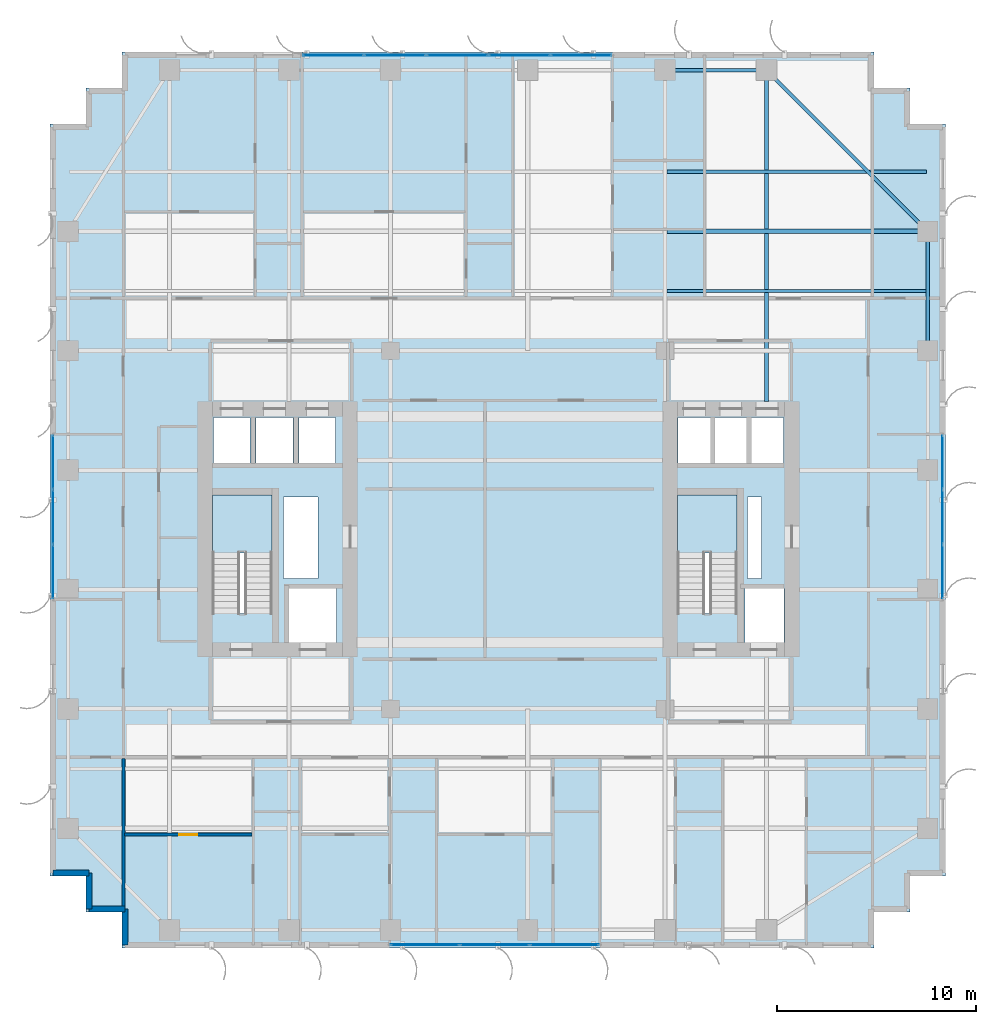
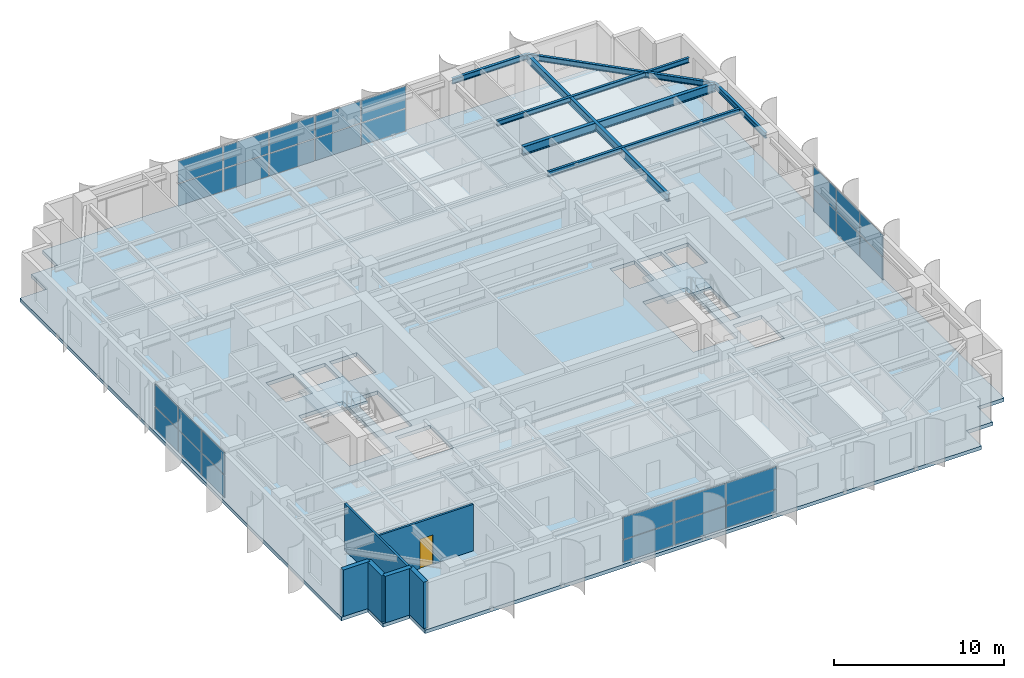
# One storey, part 12 of 22: 28 plates, 7 beams, 6 walls, 3 slabs, 1 door, 1 opening, 6 elements without a shape of their own.
"""IFC4 building model written with IfcOpenShell, lengths in metres."""

from ifc_helpers import new_model, si_unit, direction, frame, frame_2d, origin, origin_2d, place, context, subcontext, project, spatial, polyline, rectangle, i_section, outline, extrude, source, transform, mapped, material, layer, layer_set, material_profile, profile_set, type_object, element, fill, aggregate, save


model = new_model("IFC4")

# Units and contexts
model_context = context("Model", 3, precision=1e-05, world=origin(), true_north=direction((0.0, 1.0)))
body_context = subcontext(model_context, "Body", "Model", "MODEL_VIEW")
ifc_project = project(units=[si_unit("LENGTHUNIT", "METRE"), si_unit("AREAUNIT", "SQUARE_METRE"), si_unit("VOLUMEUNIT", "CUBIC_METRE"), si_unit("PLANEANGLEUNIT", "RADIAN"), si_unit("MASSUNIT", "GRAM", prefix="KILO")], contexts=[model_context])

# Site, building, storey
site_placement = place(None, origin())
site = spatial("IfcSite", under=ifc_project, at=site_placement, CompositionType="ELEMENT")
building_placement = place(site_placement, origin())
building = spatial("IfcBuilding", under=site, at=building_placement, Name="Khoralis Quay Care Tower", CompositionType="ELEMENT")
storey_placement = place(building_placement, frame((0.0, 0.0, 101.699951171875)))
storey = spatial("IfcBuildingStorey", under=building, at=storey_placement, Name="L26", CompositionType="ELEMENT", Elevation=101.699951171875)

# Beams
ifc_material_1 = material(Name="Steel S355", Category="steel")
ifc_material_profile_1 = material_profile(ifc_material_1, i_section(OverallWidth=0.179931640625, OverallDepth=0.39990234375, WebThickness=0.008544921875, FlangeThickness=0.013427734375, FilletRadius=0.02099609375, at=origin_2d()), Name="Steel S355")
ifc_profile_set_1 = profile_set([ifc_material_profile_1], Name="Steel S355")
beam_type_1 = type_object("IfcBeamType", Name="BM-IPE400", PredefinedType="SPANDREL", material=ifc_profile_set_1)
shared_shape_1 = source(origin(), body_context, "Body", "SweptSolid", [
    extrude(i_section(OverallWidth=0.179931640625, OverallDepth=0.39990234375, WebThickness=0.008544921875, FlangeThickness=0.013427734375, FilletRadius=0.02099609375, at=origin_2d()), origin(), (0.0, 0.0, 1.0), 6.0),
])
beam_1_placement = place(storey_placement, frame((44.10009765625, 30.0, 3.14013671875), z_axis=(0.0, 1.0, 0.0), x_axis=(-1.0, 0.0, 0.0)))
element("IfcBeam", 1, at=beam_1_placement, inside=storey, type_object=beam_type_1, Name="BM-TSP-L26-20", PredefinedType="SPANDREL", context=body_context, shape_type="MappedRepresentation", body=[
    mapped(shared_shape_1, transform((0.0, 0.0, 0.0), scale=1.0)),
])
shared_shape_2 = source(origin(), body_context, "Body", "SweptSolid", [
    extrude(i_section(OverallWidth=0.179931640625, OverallDepth=0.39990234375, WebThickness=0.008544921875, FlangeThickness=0.013427734375, FilletRadius=0.02099609375, at=origin_2d()), origin(), (0.0, 0.0, 1.0), 5.10009765625),
])
beam_2_placement = place(storey_placement, frame((30.89990234375, 44.10009765625, 3.14013671875), z_axis=(1.0, 0.0, 0.0), x_axis=(0.0, 1.0, 0.0)))
element("IfcBeam", 2, at=beam_2_placement, inside=storey, type_object=beam_type_1, Name="BM-TSP-L26-10", PredefinedType="SPANDREL", context=body_context, shape_type="MappedRepresentation", body=[
    mapped(shared_shape_2, transform((0.0, 0.0, 0.0), scale=1.0)),
])
shared_shape_3 = source(origin(), body_context, "Body", "SweptSolid", [
    extrude(i_section(OverallWidth=0.179931640625, OverallDepth=0.39990234375, WebThickness=0.008544921875, FlangeThickness=0.013427734375, FilletRadius=0.02099609375, at=origin_2d()), origin(), (0.0, 0.0, 1.0), 11.455322265625),
])
beam_3_placement = place(storey_placement, frame((36.0, 44.10009765625, 3.14013671875), z_axis=(0.707106781187, -0.707106781187, 0.0), x_axis=(0.707106781187, 0.707106781187, 0.0)))
element("IfcBeam", 3, at=beam_3_placement, inside=storey, type_object=beam_type_1, Name="BM-TCR-L26-24", PredefinedType="SPANDREL", context=body_context, shape_type="MappedRepresentation", body=[
    mapped(shared_shape_3, transform((0.0, 0.0, 0.0), scale=1.0)),
])
ifc_material_profile_2 = material_profile(ifc_material_1, i_section(OverallWidth=0.22998046875, OverallDepth=0.616943359375, WebThickness=0.01318359375, FlangeThickness=0.022216796875, FilletRadius=0.01806640625, at=origin_2d()), Name="Steel S355")
ifc_profile_set_2 = profile_set([ifc_material_profile_2], Name="Steel S355")
beam_type_2 = type_object("IfcBeamType", Name="BM-W610X140", PredefinedType="BEAM", material=ifc_profile_set_2)
shared_shape_4 = source(origin(), body_context, "Body", "SweptSolid", [
    extrude(i_section(OverallWidth=0.22998046875, OverallDepth=0.616943359375, WebThickness=0.01318359375, FlangeThickness=0.022216796875, FilletRadius=0.01806640625, at=origin_2d()), origin(), (0.0, 0.0, 1.0), 13.106201171875),
])
beam_4_placement = place(storey_placement, frame((30.993896484375, 36.0, 3.031494140625), z_axis=(1.0, 0.0, 0.0), x_axis=(0.0, 1.0, 0.0)))
element("IfcBeam", 4, at=beam_4_placement, inside=storey, type_object=beam_type_2, Name="BM-TGXE-L26-360", PredefinedType="BEAM", context=body_context, shape_type="MappedRepresentation", body=[
    mapped(shared_shape_4, transform((0.0, 0.0, 0.0), scale=1.0)),
])
ifc_material_profile_3 = material_profile(ifc_material_1, i_section(OverallWidth=0.2119140625, OverallDepth=0.5439453125, WebThickness=0.01318359375, FlangeThickness=0.021240234375, FilletRadius=0.01611328125, at=origin_2d()), Name="Steel S355")
ifc_profile_set_3 = profile_set([ifc_material_profile_3], Name="Steel S355")
beam_type_3 = type_object("IfcBeamType", Name="BM-W530X123", PredefinedType="BEAM", material=ifc_profile_set_3)
shared_shape_5 = source(origin(), body_context, "Body", "SweptSolid", [
    extrude(i_section(OverallWidth=0.2119140625, OverallDepth=0.5439453125, WebThickness=0.01318359375, FlangeThickness=0.021240234375, FilletRadius=0.01611328125, at=origin_2d()), origin(), (0.0, 0.0, 1.0), 16.652099609375),
])
beam_5_placement = place(storey_placement, frame((36.0, 27.447998046875, 3.068115234375), z_axis=(0.0, 1.0, 0.0), x_axis=(-1.0, 0.0, 0.0)))
element("IfcBeam", 5, at=beam_5_placement, inside=storey, type_object=beam_type_3, Name="BM-TGYN-L26-360", PredefinedType="BEAM", context=body_context, shape_type="MappedRepresentation", body=[
    mapped(shared_shape_5, transform((0.0, 0.0, 0.0), scale=1.0)),
])
ifc_material_profile_4 = material_profile(ifc_material_1, i_section(OverallWidth=0.1708984375, OverallDepth=0.35498046875, WebThickness=0.007080078125, FlangeThickness=0.01171875, FilletRadius=0.012939453125, at=origin_2d()), Name="Steel S355")
ifc_profile_set_4 = profile_set([ifc_material_profile_4], Name="Steel S355")
beam_type_4 = type_object("IfcBeamType", Name="BM-W360X51", PredefinedType="JOIST", material=ifc_profile_set_4)
shared_shape_6 = source(origin(), body_context, "Body", "SweptSolid", [
    extrude(i_section(OverallWidth=0.1708984375, OverallDepth=0.35498046875, WebThickness=0.007080078125, FlangeThickness=0.01171875, FilletRadius=0.012939453125, at=origin_2d()), origin(), (0.0, 0.0, 1.0), 13.030029296875),
])
for number, where, z_axis, x_axis, name in (
    (6, (30.993896484375, 33.0, 3.16259765625), (1.0, 0.0, 0.0), (0.0, 1.0, 0.0), "BM-TJS-L26-29"),
    (7, (30.993896484375, 39.0, 3.16259765625), (1.0, 0.0, 0.0), (0.0, 1.0, 0.0), "BM-TJS-L26-32"),
):
    element("IfcBeam", number, at=place(storey_placement, frame(where, z_axis=z_axis, x_axis=x_axis)), inside=storey, type_object=beam_type_4, Name=name, PredefinedType="JOIST", context=body_context, shape_type="MappedRepresentation", body=[
        mapped(shared_shape_6, transform((0.0, 0.0, 0.0), scale=1.0)),
    ])

# Stair, slab
ifc_material_2 = material(Name="Precast concrete C45/55", Category="concrete")
stair_type = type_object("IfcStairType", Name="ST-TWR-DOGLEG-1400", PredefinedType="HALF_TURN_STAIR", material=ifc_material_2)
stair_1_placement = place(storey_placement, origin())
stair_1 = element("IfcStair", 8, at=stair_1_placement, inside=storey, type_object=stair_type, Name="L26 West Core Exit Stair ST-T1", PredefinedType="HALF_TURN_STAIR")
ifc_layer_1 = layer(ifc_material_2, 0.199951171875)
ifc_layer_set_1 = layer_set([ifc_layer_1], Name="Precast concrete C45/55")
slab_type_1 = type_object("IfcSlabType", Name="SLB-LANDING-200", PredefinedType="LANDING", material=ifc_layer_set_1)
slab_1_placement = place(storey_placement, frame((0.0, 0.0, 1.60009765625)))
slab_1 = element("IfcSlab", 9, at=slab_1_placement, type_object=slab_type_1, Name="ST-T1 landing 1", PredefinedType="LANDING", context=body_context, shape_type="SweptSolid", body=[
    extrude(outline(polyline([(11.14990234375, 19.840087890625), (11.14990234375, 22.75), (8.14990234375, 22.75), (8.14990234375, 19.840087890625), (11.14990234375, 19.840087890625)])), origin(), (0.0, 0.0, 1.0), 0.199951171875),
])
aggregate(stair_1, [slab_1])

stair_2_placement = place(storey_placement, origin())
stair_2 = element("IfcStair", 10, at=stair_2_placement, inside=storey, type_object=stair_type, Name="L26 East Core Exit Stair ST-T2", PredefinedType="HALF_TURN_STAIR")
slab_2_placement = place(storey_placement, frame((0.0, 0.0, 1.60009765625)))
slab_2 = element("IfcSlab", 11, at=slab_2_placement, type_object=slab_type_1, Name="ST-T2 landing 1", PredefinedType="LANDING", context=body_context, shape_type="SweptSolid", body=[
    extrude(outline(polyline([(34.52001953125, 19.840087890625), (34.52001953125, 22.75), (31.52001953125, 22.75), (31.52001953125, 19.840087890625), (34.52001953125, 19.840087890625)])), origin(), (0.0, 0.0, 1.0), 0.199951171875),
])
aggregate(stair_2, [slab_2])

# Slab
ifc_material_3 = material(Name="Concrete C40/50", Category="concrete")
ifc_layer_2 = layer(ifc_material_3, 0.260009765625)
ifc_layer_set_2 = layer_set([ifc_layer_2], Name="Concrete C40/50")
slab_type_2 = type_object("IfcSlabType", Name="SLB-TWR-260", PredefinedType="FLOOR", material=ifc_layer_set_2)
slab_3_placement = place(storey_placement, frame((0.0, 0.0, -0.260009765625)))
element("IfcSlab", 12, at=slab_3_placement, inside=storey, type_object=slab_type_2, Name="Tower Floor Slab L26", PredefinedType="FLOOR", context=body_context, shape_type="SweptSolid", body=[
    extrude(outline(polyline([(3.60009765625, 0.0), (41.39990234375, 0.0), (41.39990234375, 1.800048828125), (43.199951171875, 1.800048828125), (43.199951171875, 3.60009765625), (45.0, 3.60009765625), (45.0, 41.39990234375), (43.199951171875, 41.39990234375), (43.199951171875, 43.199951171875), (41.39990234375, 43.199951171875), (41.39990234375, 45.0), (3.60009765625, 45.0), (3.60009765625, 43.199951171875), (1.800048828125, 43.199951171875), (1.800048828125, 41.39990234375), (0.0, 41.39990234375), (0.0, 3.60009765625), (1.800048828125, 3.60009765625), (1.800048828125, 1.800048828125), (3.60009765625, 1.800048828125), (3.60009765625, 0.0)]), holes=[polyline([(11.14990234375, 16.800048828125), (11.14990234375, 22.75), (8.14990234375, 22.75), (8.14990234375, 16.800048828125), (11.14990234375, 16.800048828125)]), polyline([(34.52001953125, 16.800048828125), (34.52001953125, 22.75), (31.52001953125, 22.75), (31.52001953125, 16.800048828125), (34.52001953125, 16.800048828125)]), polyline([(12.0, 15.35009765625), (14.39990234375, 15.35009765625), (14.39990234375, 18.050048828125), (12.0, 18.050048828125), (12.0, 15.35009765625)]), polyline([(34.919921875, 15.35009765625), (36.8798828125, 15.35009765625), (36.8798828125, 18.050048828125), (34.919921875, 18.050048828125), (34.919921875, 15.35009765625)]), polyline([(8.199951171875, 24.35009765625), (10.050048828125, 24.35009765625), (10.050048828125, 26.64990234375), (8.199951171875, 26.64990234375), (8.199951171875, 24.35009765625)]), polyline([(31.550048828125, 24.35009765625), (33.199951171875, 24.35009765625), (33.199951171875, 26.64990234375), (31.550048828125, 26.64990234375), (31.550048828125, 24.35009765625)]), polyline([(10.35009765625, 24.35009765625), (12.199951171875, 24.35009765625), (12.199951171875, 26.64990234375), (10.35009765625, 26.64990234375), (10.35009765625, 24.35009765625)]), polyline([(33.3798828125, 24.35009765625), (35.030029296875, 24.35009765625), (35.030029296875, 26.64990234375), (33.3798828125, 26.64990234375), (33.3798828125, 24.35009765625)]), polyline([(12.5, 24.35009765625), (14.35009765625, 24.35009765625), (14.35009765625, 26.64990234375), (12.5, 26.64990234375), (12.5, 24.35009765625)]), polyline([(35.199951171875, 24.35009765625), (36.85009765625, 24.35009765625), (36.85009765625, 26.64990234375), (35.199951171875, 26.64990234375), (35.199951171875, 24.35009765625)]), polyline([(11.719970703125, 18.550048828125), (13.449951171875, 18.550048828125), (13.449951171875, 22.64990234375), (11.719970703125, 22.64990234375), (11.719970703125, 18.550048828125)]), polyline([(35.050048828125, 18.550048828125), (35.75, 18.550048828125), (35.75, 22.64990234375), (35.050048828125, 22.64990234375), (35.050048828125, 18.550048828125)])]), origin(), (0.0, 0.0, 1.0), 0.260009765625),
])

# Curtain wall, plates
ifc_material_4 = material(Name="Pale anodised aluminium", Category="aluminium")
ifc_layer_3 = layer(ifc_material_4, 0.169921875)
ifc_layer_set_3 = layer_set([ifc_layer_3], Name="Pale anodised aluminium")
curtain_wall_type = type_object("IfcCurtainWallType", Name="CW-SYS-Z2", PredefinedType="NOTDEFINED", material=ifc_layer_set_3)
curtain_wall_1_placement = place(storey_placement, origin())
curtain_wall_1 = element("IfcCurtainWall", 13, at=curtain_wall_1_placement, inside=storey, type_object=curtain_wall_type, Name="L26 Unitised Curtain Wall CW-L26-P1-E5", PredefinedType="NOTDEFINED")
ifc_material_5 = material(Name="Low-E solar-control double glazing", Category="glass")
ifc_layer_4 = layer(ifc_material_5, 0.031982421875)
ifc_layer_set_4 = layer_set([ifc_layer_4], Name="Low-E solar-control double glazing")
plate_type = type_object("IfcPlateType", Name="PNL-VIS-32", PredefinedType="CURTAIN_PANEL", material=ifc_layer_set_4)
shared_shape_7 = source(origin(), body_context, "Body", "SweptSolid", [
    extrude(rectangle(XDim=2.6767578125, YDim=0.028076171875, at=origin_2d()), origin(), (0.0, 0.0, 1.0), 1.580078125),
])
plate_1_placement = place(storey_placement, frame((44.85009765625, 18.8984375, 0.06005859375), z_axis=(0.0, 0.0, 1.0), x_axis=(0.0, 1.0, 0.0)))
plate_1 = element("IfcPlate", 14, at=plate_1_placement, type_object=plate_type, Name="CW2 panel 1.1", PredefinedType="CURTAIN_PANEL", context=body_context, shape_type="MappedRepresentation", body=[
    mapped(shared_shape_7, transform((0.0, 0.0, 0.0), scale=1.0)),
])
plate_2_placement = place(storey_placement, frame((44.85009765625, 18.8984375, 1.699951171875), z_axis=(0.0, 0.0, 1.0), x_axis=(0.0, 1.0, 0.0)))
plate_2 = element("IfcPlate", 15, at=plate_2_placement, type_object=plate_type, Name="CW2 panel 1.2", PredefinedType="CURTAIN_PANEL", context=body_context, shape_type="MappedRepresentation", body=[
    mapped(shared_shape_7, transform((0.0, 0.0, 0.0), scale=1.0)),
])
plate_3_placement = place(storey_placement, frame((44.85009765625, 24.401611328125, 0.06005859375), z_axis=(0.0, 0.0, 1.0), x_axis=(0.0, 1.0, 0.0)))
plate_3 = element("IfcPlate", 16, at=plate_3_placement, type_object=plate_type, Name="CW2 panel 3.1", PredefinedType="CURTAIN_PANEL", context=body_context, shape_type="MappedRepresentation", body=[
    mapped(shared_shape_7, transform((0.0, 0.0, 0.0), scale=1.0)),
])
plate_4_placement = place(storey_placement, frame((44.85009765625, 24.401611328125, 1.699951171875), z_axis=(0.0, 0.0, 1.0), x_axis=(0.0, 1.0, 0.0)))
plate_4 = element("IfcPlate", 17, at=plate_4_placement, type_object=plate_type, Name="CW2 panel 3.2", PredefinedType="CURTAIN_PANEL", context=body_context, shape_type="MappedRepresentation", body=[
    mapped(shared_shape_7, transform((0.0, 0.0, 0.0), scale=1.0)),
])

curtain_wall_2_placement = place(storey_placement, origin())
curtain_wall_2 = element("IfcCurtainWall", 18, at=curtain_wall_2_placement, inside=storey, type_object=curtain_wall_type, Name="L26 Unitised Curtain Wall CW-L26-P1-E15", PredefinedType="NOTDEFINED")
plate_5_placement = place(storey_placement, frame((0.14990234375, 24.401611328125, 0.06005859375), z_axis=(0.0, 0.0, 1.0), x_axis=(0.0, -1.0, 0.0)))
plate_5 = element("IfcPlate", 19, at=plate_5_placement, type_object=plate_type, Name="CW2 panel 1.1", PredefinedType="CURTAIN_PANEL", context=body_context, shape_type="MappedRepresentation", body=[
    mapped(shared_shape_7, transform((0.0, 0.0, 0.0), scale=1.0)),
])
plate_6_placement = place(storey_placement, frame((0.14990234375, 24.401611328125, 1.699951171875), z_axis=(0.0, 0.0, 1.0), x_axis=(0.0, -1.0, 0.0)))
plate_6 = element("IfcPlate", 20, at=plate_6_placement, type_object=plate_type, Name="CW2 panel 1.2", PredefinedType="CURTAIN_PANEL", context=body_context, shape_type="MappedRepresentation", body=[
    mapped(shared_shape_7, transform((0.0, 0.0, 0.0), scale=1.0)),
])
plate_7_placement = place(storey_placement, frame((0.14990234375, 18.8984375, 0.06005859375), z_axis=(0.0, 0.0, 1.0), x_axis=(0.0, -1.0, 0.0)))
plate_7 = element("IfcPlate", 21, at=plate_7_placement, type_object=plate_type, Name="CW2 panel 3.1", PredefinedType="CURTAIN_PANEL", context=body_context, shape_type="MappedRepresentation", body=[
    mapped(shared_shape_7, transform((0.0, 0.0, 0.0), scale=1.0)),
])
plate_8_placement = place(storey_placement, frame((0.14990234375, 18.8984375, 1.699951171875), z_axis=(0.0, 0.0, 1.0), x_axis=(0.0, -1.0, 0.0)))
plate_8 = element("IfcPlate", 22, at=plate_8_placement, type_object=plate_type, Name="CW2 panel 3.2", PredefinedType="CURTAIN_PANEL", context=body_context, shape_type="MappedRepresentation", body=[
    mapped(shared_shape_7, transform((0.0, 0.0, 0.0), scale=1.0)),
])

# Plate
shared_shape_8 = source(origin(), body_context, "Body", "SweptSolid", [
    extrude(rectangle(XDim=2.706787109375, YDim=0.028076171875, at=origin_2d()), origin(), (0.0, 0.0, 1.0), 1.580078125),
])
plate_9_placement = place(storey_placement, frame((44.85009765625, 21.64990234375, 0.06005859375), z_axis=(0.0, 0.0, 1.0), x_axis=(0.0, 1.0, 0.0)))
plate_9 = element("IfcPlate", 23, at=plate_9_placement, type_object=plate_type, Name="CW2 panel 2.1", PredefinedType="CURTAIN_PANEL", context=body_context, shape_type="MappedRepresentation", body=[
    mapped(shared_shape_8, transform((0.0, 0.0, 0.0), scale=1.0)),
])

plate_10_placement = place(storey_placement, frame((44.85009765625, 21.64990234375, 1.699951171875), z_axis=(0.0, 0.0, 1.0), x_axis=(0.0, 1.0, 0.0)))
plate_10 = element("IfcPlate", 24, at=plate_10_placement, type_object=plate_type, Name="CW2 panel 2.2", PredefinedType="CURTAIN_PANEL", context=body_context, shape_type="MappedRepresentation", body=[
    mapped(shared_shape_8, transform((0.0, 0.0, 0.0), scale=1.0)),
])

aggregate(curtain_wall_1, [plate_1, plate_2, plate_9, plate_10, plate_3, plate_4])

plate_11_placement = place(storey_placement, frame((0.14990234375, 21.64990234375, 0.06005859375), z_axis=(0.0, 0.0, 1.0), x_axis=(0.0, -1.0, 0.0)))
plate_11 = element("IfcPlate", 25, at=plate_11_placement, type_object=plate_type, Name="CW2 panel 2.1", PredefinedType="CURTAIN_PANEL", context=body_context, shape_type="MappedRepresentation", body=[
    mapped(shared_shape_8, transform((0.0, 0.0, 0.0), scale=1.0)),
])

plate_12_placement = place(storey_placement, frame((0.14990234375, 21.64990234375, 1.699951171875), z_axis=(0.0, 0.0, 1.0), x_axis=(0.0, -1.0, 0.0)))
plate_12 = element("IfcPlate", 26, at=plate_12_placement, type_object=plate_type, Name="CW2 panel 2.2", PredefinedType="CURTAIN_PANEL", context=body_context, shape_type="MappedRepresentation", body=[
    mapped(shared_shape_8, transform((0.0, 0.0, 0.0), scale=1.0)),
])

aggregate(curtain_wall_2, [plate_5, plate_6, plate_11, plate_12, plate_7, plate_8])

# Curtain wall, plates
curtain_wall_3_placement = place(storey_placement, origin())
curtain_wall_3 = element("IfcCurtainWall", 27, at=curtain_wall_3_placement, inside=storey, type_object=curtain_wall_type, Name="L26 Unitised Curtain Wall CW-L26-P1-E0", PredefinedType="NOTDEFINED")
shared_shape_9 = source(origin(), body_context, "Body", "SweptSolid", [
    extrude(rectangle(XDim=3.429931640625, YDim=0.028076171875, at=origin_2d()), origin(), (0.0, 0.0, 1.0), 1.580078125),
])
plate_13_placement = place(storey_placement, frame((18.8349609375, 0.14990234375, 0.06005859375), z_axis=(0.0, 0.0, 1.0), x_axis=(1.0, 0.0, 0.0)))
plate_13 = element("IfcPlate", 28, at=plate_13_placement, type_object=plate_type, Name="CW2 panel 1.1", PredefinedType="CURTAIN_PANEL", context=body_context, shape_type="MappedRepresentation", body=[
    mapped(shared_shape_9, transform((0.0, 0.0, 0.0), scale=1.0)),
])
plate_14_placement = place(storey_placement, frame((18.8349609375, 0.14990234375, 1.699951171875), z_axis=(0.0, 0.0, 1.0), x_axis=(1.0, 0.0, 0.0)))
plate_14 = element("IfcPlate", 29, at=plate_14_placement, type_object=plate_type, Name="CW2 panel 1.2", PredefinedType="CURTAIN_PANEL", context=body_context, shape_type="MappedRepresentation", body=[
    mapped(shared_shape_9, transform((0.0, 0.0, 0.0), scale=1.0)),
])
plate_15_placement = place(storey_placement, frame((25.844970703125, 0.14990234375, 0.06005859375), z_axis=(0.0, 0.0, 1.0), x_axis=(1.0, 0.0, 0.0)))
plate_15 = element("IfcPlate", 30, at=plate_15_placement, type_object=plate_type, Name="CW2 panel 3.1", PredefinedType="CURTAIN_PANEL", context=body_context, shape_type="MappedRepresentation", body=[
    mapped(shared_shape_9, transform((0.0, 0.0, 0.0), scale=1.0)),
])
plate_16_placement = place(storey_placement, frame((25.844970703125, 0.14990234375, 1.699951171875), z_axis=(0.0, 0.0, 1.0), x_axis=(1.0, 0.0, 0.0)))
plate_16 = element("IfcPlate", 31, at=plate_16_placement, type_object=plate_type, Name="CW2 panel 3.2", PredefinedType="CURTAIN_PANEL", context=body_context, shape_type="MappedRepresentation", body=[
    mapped(shared_shape_9, transform((0.0, 0.0, 0.0), scale=1.0)),
])
shared_shape_10 = source(origin(), body_context, "Body", "SweptSolid", [
    extrude(rectangle(XDim=3.4599609375, YDim=0.028076171875, at=origin_2d()), origin(), (0.0, 0.0, 1.0), 1.580078125),
])
plate_17_placement = place(storey_placement, frame((22.340087890625, 0.14990234375, 0.06005859375), z_axis=(0.0, 0.0, 1.0), x_axis=(1.0, 0.0, 0.0)))
plate_17 = element("IfcPlate", 32, at=plate_17_placement, type_object=plate_type, Name="CW2 panel 2.1", PredefinedType="CURTAIN_PANEL", context=body_context, shape_type="MappedRepresentation", body=[
    mapped(shared_shape_10, transform((0.0, 0.0, 0.0), scale=1.0)),
])
plate_18_placement = place(storey_placement, frame((22.340087890625, 0.14990234375, 1.699951171875), z_axis=(0.0, 0.0, 1.0), x_axis=(1.0, 0.0, 0.0)))
plate_18 = element("IfcPlate", 33, at=plate_18_placement, type_object=plate_type, Name="CW2 panel 2.2", PredefinedType="CURTAIN_PANEL", context=body_context, shape_type="MappedRepresentation", body=[
    mapped(shared_shape_10, transform((0.0, 0.0, 0.0), scale=1.0)),
])
aggregate(curtain_wall_3, [plate_13, plate_14, plate_17, plate_18, plate_15, plate_16])

curtain_wall_4_placement = place(storey_placement, origin())
curtain_wall_4 = element("IfcCurtainWall", 34, at=curtain_wall_4_placement, inside=storey, type_object=curtain_wall_type, Name="L26 Unitised Curtain Wall CW-L26-P1-E10", PredefinedType="NOTDEFINED")
shared_shape_11 = source(origin(), body_context, "Body", "SweptSolid", [
    extrude(rectangle(XDim=3.029541015625, YDim=0.028076171875, at=origin_2d()), origin(), (0.0, 0.0, 1.0), 1.580078125),
])
plate_19_placement = place(storey_placement, frame((26.68310546875, 44.85009765625, 0.06005859375), z_axis=(0.0, 0.0, 1.0), x_axis=(-1.0, 0.0, 0.0)))
plate_19 = element("IfcPlate", 35, at=plate_19_placement, type_object=plate_type, Name="CW2 panel 1.1", PredefinedType="CURTAIN_PANEL", context=body_context, shape_type="MappedRepresentation", body=[
    mapped(shared_shape_11, transform((0.0, 0.0, 0.0), scale=1.0)),
])
plate_20_placement = place(storey_placement, frame((26.68310546875, 44.85009765625, 1.699951171875), z_axis=(0.0, 0.0, 1.0), x_axis=(-1.0, 0.0, 0.0)))
plate_20 = element("IfcPlate", 36, at=plate_20_placement, type_object=plate_type, Name="CW2 panel 1.2", PredefinedType="CURTAIN_PANEL", context=body_context, shape_type="MappedRepresentation", body=[
    mapped(shared_shape_11, transform((0.0, 0.0, 0.0), scale=1.0)),
])
plate_21_placement = place(storey_placement, frame((14.23486328125, 44.85009765625, 0.06005859375), z_axis=(0.0, 0.0, 1.0), x_axis=(-1.0, 0.0, 0.0)))
plate_21 = element("IfcPlate", 37, at=plate_21_placement, type_object=plate_type, Name="CW2 panel 5.1", PredefinedType="CURTAIN_PANEL", context=body_context, shape_type="MappedRepresentation", body=[
    mapped(shared_shape_11, transform((0.0, 0.0, 0.0), scale=1.0)),
])
plate_22_placement = place(storey_placement, frame((14.23486328125, 44.85009765625, 1.699951171875), z_axis=(0.0, 0.0, 1.0), x_axis=(-1.0, 0.0, 0.0)))
plate_22 = element("IfcPlate", 38, at=plate_22_placement, type_object=plate_type, Name="CW2 panel 5.2", PredefinedType="CURTAIN_PANEL", context=body_context, shape_type="MappedRepresentation", body=[
    mapped(shared_shape_11, transform((0.0, 0.0, 0.0), scale=1.0)),
])
shared_shape_12 = source(origin(), body_context, "Body", "SweptSolid", [
    extrude(rectangle(XDim=3.0595703125, YDim=0.028076171875, at=origin_2d()), origin(), (0.0, 0.0, 1.0), 1.580078125),
])
plate_23_placement = place(storey_placement, frame((23.57861328125, 44.85009765625, 0.06005859375), z_axis=(0.0, 0.0, 1.0), x_axis=(-1.0, 0.0, 0.0)))
plate_23 = element("IfcPlate", 39, at=plate_23_placement, type_object=plate_type, Name="CW2 panel 2.1", PredefinedType="CURTAIN_PANEL", context=body_context, shape_type="MappedRepresentation", body=[
    mapped(shared_shape_12, transform((0.0, 0.0, 0.0), scale=1.0)),
])
plate_24_placement = place(storey_placement, frame((23.57861328125, 44.85009765625, 1.699951171875), z_axis=(0.0, 0.0, 1.0), x_axis=(-1.0, 0.0, 0.0)))
plate_24 = element("IfcPlate", 40, at=plate_24_placement, type_object=plate_type, Name="CW2 panel 2.2", PredefinedType="CURTAIN_PANEL", context=body_context, shape_type="MappedRepresentation", body=[
    mapped(shared_shape_12, transform((0.0, 0.0, 0.0), scale=1.0)),
])
plate_25_placement = place(storey_placement, frame((20.458984375, 44.85009765625, 0.06005859375), z_axis=(0.0, 0.0, 1.0), x_axis=(-1.0, 0.0, 0.0)))
plate_25 = element("IfcPlate", 41, at=plate_25_placement, type_object=plate_type, Name="CW2 panel 3.1", PredefinedType="CURTAIN_PANEL", context=body_context, shape_type="MappedRepresentation", body=[
    mapped(shared_shape_12, transform((0.0, 0.0, 0.0), scale=1.0)),
])
plate_26_placement = place(storey_placement, frame((20.458984375, 44.85009765625, 1.699951171875), z_axis=(0.0, 0.0, 1.0), x_axis=(-1.0, 0.0, 0.0)))
plate_26 = element("IfcPlate", 42, at=plate_26_placement, type_object=plate_type, Name="CW2 panel 3.2", PredefinedType="CURTAIN_PANEL", context=body_context, shape_type="MappedRepresentation", body=[
    mapped(shared_shape_12, transform((0.0, 0.0, 0.0), scale=1.0)),
])
plate_27_placement = place(storey_placement, frame((17.33935546875, 44.85009765625, 0.06005859375), z_axis=(0.0, 0.0, 1.0), x_axis=(-1.0, 0.0, 0.0)))
plate_27 = element("IfcPlate", 43, at=plate_27_placement, type_object=plate_type, Name="CW2 panel 4.1", PredefinedType="CURTAIN_PANEL", context=body_context, shape_type="MappedRepresentation", body=[
    mapped(shared_shape_12, transform((0.0, 0.0, 0.0), scale=1.0)),
])
plate_28_placement = place(storey_placement, frame((17.33935546875, 44.85009765625, 1.699951171875), z_axis=(0.0, 0.0, 1.0), x_axis=(-1.0, 0.0, 0.0)))
plate_28 = element("IfcPlate", 44, at=plate_28_placement, type_object=plate_type, Name="CW2 panel 4.2", PredefinedType="CURTAIN_PANEL", context=body_context, shape_type="MappedRepresentation", body=[
    mapped(shared_shape_12, transform((0.0, 0.0, 0.0), scale=1.0)),
])
aggregate(curtain_wall_4, [plate_19, plate_20, plate_23, plate_24, plate_25, plate_26, plate_27, plate_28, plate_21, plate_22])

# Walls
ifc_layer_5 = layer(ifc_material_2, 0.300048828125)
ifc_layer_set_5 = layer_set([ifc_layer_5], Name="Precast concrete C45/55")
wall_type_1 = type_object("IfcWallType", Name="WL-EXT-REF-300", PredefinedType="SOLIDWALL", material=ifc_layer_set_5)
for number, where, z_axis, x_axis, name in (
    (45, (0.14990234375, 3.75, 0.0), (0.0, 0.0, 1.0), (1.0, 0.0, 0.0), "L26 External Facade Wall WL-EXT-L26-P1-C16"),
    (46, (1.949951171875, 3.75, 0.0), (0.0, 0.0, 1.0), (0.0, -1.0, 0.0), "L26 External Facade Wall WL-EXT-L26-P1-C17"),
    (47, (1.949951171875, 1.949951171875, 0.0), (0.0, 0.0, 1.0), (1.0, 0.0, 0.0), "L26 External Facade Wall WL-EXT-L26-P1-C18"),
    (48, (3.75, 1.949951171875, 0.0), (0.0, 0.0, 1.0), (0.0, -1.0, 0.0), "L26 External Facade Wall WL-EXT-L26-P1-C19"),
):
    element("IfcWall", number, at=place(storey_placement, frame(where, z_axis=z_axis, x_axis=x_axis)), inside=storey, type_object=wall_type_1, Name=name, PredefinedType="SOLIDWALL", context=body_context, shape_type="SweptSolid", body=[
        extrude(rectangle(XDim=1.800048828125, YDim=0.300048828125, at=frame_2d((0.89990234375, 0.0))), origin(), (0.0, 0.0, 1.0), 3.340087890625),
    ])
ifc_material_6 = material(Name="Gypsum plasterboard on acoustic metal stud")
ifc_layer_6 = layer(ifc_material_6, 0.139892578125)
ifc_layer_set_6 = layer_set([ifc_layer_6], Name="Gypsum plasterboard on acoustic metal stud")
wall_type_2 = type_object("IfcWallType", Name="WL-UNIT-140", PredefinedType="PARTITIONING", material=ifc_layer_set_6)
wall_1_placement = place(storey_placement, frame((3.679931640625, 1.945068359375, 0.0), z_axis=(0.0, 0.0, 1.0), x_axis=(0.0, 1.0, 0.0)))
element("IfcWall", 49, at=wall_1_placement, inside=storey, type_object=wall_type_2, Name="L26 SB Demising Wall 0", PredefinedType="PARTITIONING", context=body_context, shape_type="SweptSolid", body=[
    extrude(rectangle(XDim=7.557373046875, YDim=0.139892578125, at=frame_2d((3.77880859375, 0.0))), origin(), (0.0, 0.0, 1.0), 3.340087890625),
])

# Wall, opening, door
wall_2_placement = place(storey_placement, frame((3.7451171875, 5.68994140625, 0.0), z_axis=(0.0, 0.0, 1.0), x_axis=(1.0, 0.0, 0.0)))
wall_2 = element("IfcWall", 50, at=wall_2_placement, inside=storey, type_object=wall_type_2, Name="Skilled Care Bedroom L26-SB0 Sub-Partition", PredefinedType="PARTITIONING", context=body_context, shape_type="SweptSolid", body=[
    extrude(rectangle(XDim=6.39990234375, YDim=0.139892578125, at=frame_2d((3.199951171875, 0.0))), origin(), (0.0, 0.0, 1.0), 3.340087890625),
])
opening_placement = place(wall_2_placement, frame((2.75, 0.0, 0.0)))
opening = element("IfcOpeningElement", 51, at=opening_placement, cuts=wall_2, Name="Opening WD1", PredefinedType="OPENING", context=body_context, shape_type="SweptSolid", body=[
    extrude(rectangle(XDim=0.89990234375, YDim=2.10009765625, at=frame_2d((0.449951171875, 1.050048828125))), frame((0.0, 0.080078125, 0.0), z_axis=(0.0, -1.0, 0.0), x_axis=(1.0, 0.0, 0.0)), (0.0, 0.0, 1.0), 0.159912109375),
])
ifc_material_7 = material(Name="Acoustic hardwood timber", Category="wood")
door_type = type_object("IfcDoorType", Name="DR-BATH-900X2100", OperationType="NOTDEFINED", PredefinedType="DOOR", material=ifc_material_7)
shared_shape_13 = source(origin(), body_context, "Body", "SweptSolid", [
    extrude(rectangle(XDim=0.89990234375, YDim=2.10009765625, at=frame_2d((0.449951171875, 1.050048828125))), frame((0.0, 0.02490234375, 0.0), z_axis=(0.0, -1.0, 0.0), x_axis=(1.0, 0.0, 0.0)), (0.0, 0.0, 1.0), 0.050048828125),
])
door_placement = place(opening_placement, origin())
door = element("IfcDoor", 52, at=door_placement, inside=storey, type_object=door_type, Name="Private Study & Reading Alcove ARE0 Door", OperationType="SINGLE_SWING_LEFT", OverallHeight=2.10009765625, OverallWidth=0.89990234375, PredefinedType="DOOR", context=body_context, shape_type="MappedRepresentation", body=[
    mapped(shared_shape_13, transform((0.0, 0.0, 0.0), scale=1.0)),
])
fill(opening, door)

save(model, "model.ifc")
